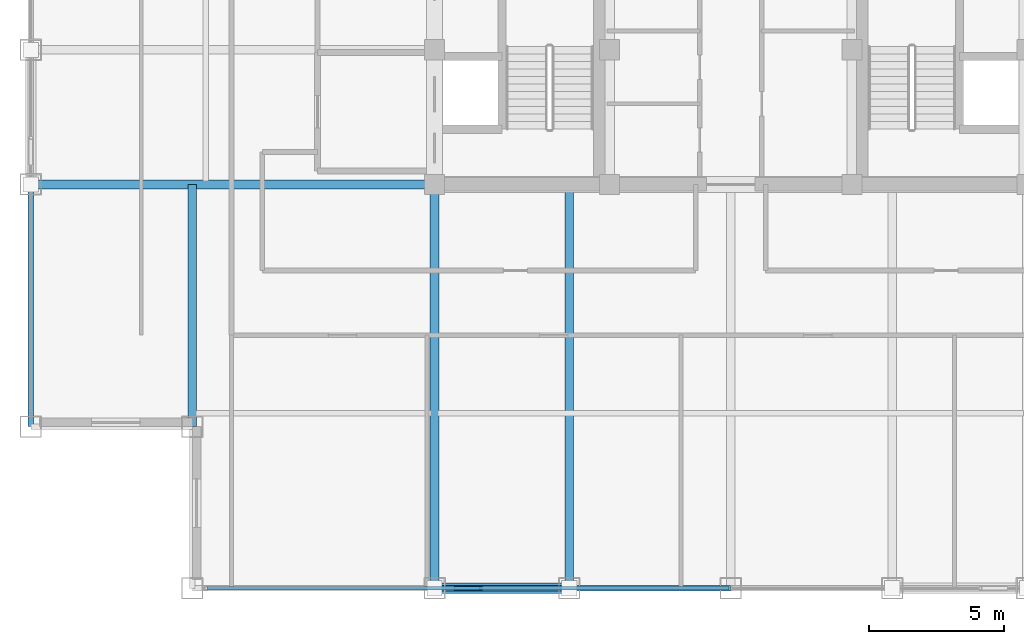
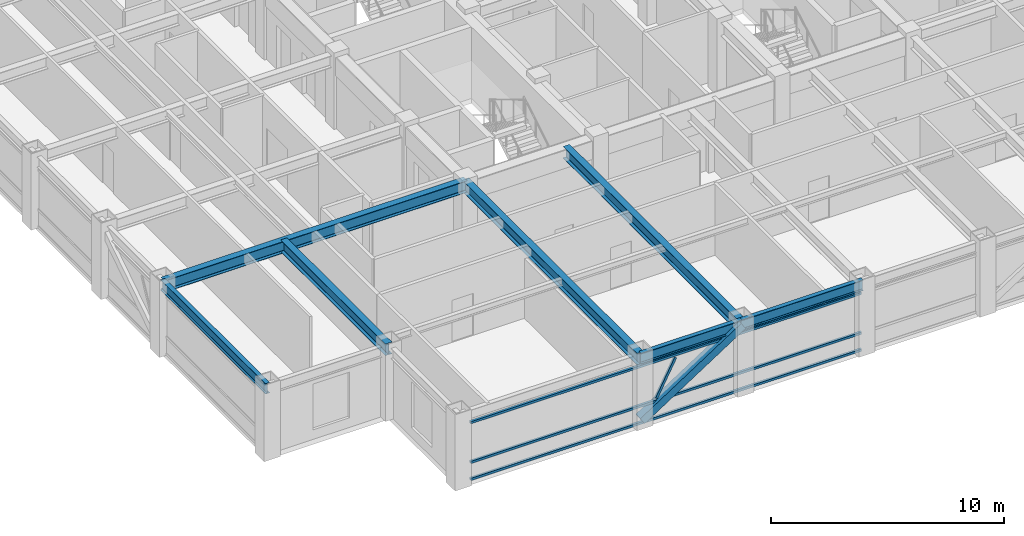
# One storey, part 3 of 28: 7 beams, 5 members, 1 element without a shape of its own.
"""IFC4 building model written with IfcOpenShell, lengths in metres."""

from ifc_helpers import new_model, si_unit, direction, frame, origin, origin_2d, place, context, subcontext, project, spatial, hollow_rectangle, i_section, extrude, source, transform, mapped, material, material_profile, profile_set, type_object, element, aggregate, save


model = new_model("IFC4")

# Units and contexts
model_context = context("Model", 3, precision=1e-05, world=origin(), true_north=direction((0.0, 1.0)))
body_context = subcontext(model_context, "Body", "Model", "MODEL_VIEW")
ifc_project = project(units=[si_unit("LENGTHUNIT", "METRE"), si_unit("AREAUNIT", "SQUARE_METRE"), si_unit("VOLUMEUNIT", "CUBIC_METRE"), si_unit("PLANEANGLEUNIT", "RADIAN"), si_unit("MASSUNIT", "GRAM", prefix="KILO")], contexts=[model_context])

# Site, building, storey
site_placement = place(None, origin())
site = spatial("IfcSite", under=ifc_project, at=site_placement, CompositionType="ELEMENT")
building_placement = place(site_placement, origin())
building = spatial("IfcBuilding", under=site, at=building_placement, Name="Khorayat Bourse Tower", CompositionType="ELEMENT")
storey_placement = place(building_placement, frame((0.0, 0.0, 330.300048828125)))
storey = spatial("IfcBuildingStorey", under=building, at=storey_placement, Name="L78", CompositionType="ELEMENT", Elevation=330.300048828125)

# Beams
ifc_material_1 = material(Name="Steel ASTM A992 Grade 50", Category="steel")
ifc_material_profile_1 = material_profile(ifc_material_1, i_section(OverallWidth=0.214111328125, OverallDepth=0.549072265625, WebThickness=0.0146484375, FlangeThickness=0.023681640625, FilletRadius=0.013916015625, at=origin_2d()), Name="W530X138")
ifc_profile_set_1 = profile_set([ifc_material_profile_1], Name="Steel ASTM A992 Grade 50")
beam_type_1 = type_object("IfcBeamType", Name="BM-SPAN-530", PredefinedType="SPANDREL", material=ifc_profile_set_1)
shared_shape_1 = source(origin(), body_context, "Body", "SweptSolid", [
    extrude(i_section(OverallWidth=0.214111328125, OverallDepth=0.549072265625, WebThickness=0.0146484375, FlangeThickness=0.023681640625, FilletRadius=0.013916015625, at=origin_2d()), origin(), (0.0, 0.0, 1.0), 9.0),
])
beam_1_placement = place(storey_placement, frame((-26.0, -20.0, 3.46533203125), z_axis=(0.0, 1.0, 0.0), x_axis=(-1.0, 0.0, 0.0)))
element("IfcBeam", 1, at=beam_1_placement, inside=storey, type_object=beam_type_1, Name="L78 BM-SPAN-530 BM-L78-SPN-053", PredefinedType="SPANDREL", context=body_context, shape_type="MappedRepresentation", body=[
    mapped(shared_shape_1, transform((0.0, 0.0, 0.0), scale=1.0)),
])
shared_shape_2 = source(origin(), body_context, "Body", "SweptSolid", [
    extrude(i_section(OverallWidth=0.214111328125, OverallDepth=0.549072265625, WebThickness=0.0146484375, FlangeThickness=0.023681640625, FilletRadius=0.013916015625, at=origin_2d()), origin(), (0.0, 0.0, 1.0), 5.0),
])
beam_2_placement = place(storey_placement, frame((-11.0, -26.0, 3.46533203125), z_axis=(1.0, 0.0, 0.0), x_axis=(0.0, 1.0, 0.0)))
element("IfcBeam", 2, at=beam_2_placement, inside=storey, type_object=beam_type_1, Name="L78 BM-SPAN-530 BM-L78-SPN-025", PredefinedType="SPANDREL", context=body_context, shape_type="MappedRepresentation", body=[
    mapped(shared_shape_2, transform((0.0, 0.0, 0.0), scale=1.0)),
])
shared_shape_3 = source(origin(), body_context, "Body", "SweptSolid", [
    extrude(i_section(OverallWidth=0.214111328125, OverallDepth=0.549072265625, WebThickness=0.0146484375, FlangeThickness=0.023681640625, FilletRadius=0.013916015625, at=origin_2d()), origin(), (0.0, 0.0, 1.0), 6.0),
])
beam_3_placement = place(storey_placement, frame((-6.0, -26.0, 3.46533203125), z_axis=(1.0, 0.0, 0.0), x_axis=(0.0, 1.0, 0.0)))
element("IfcBeam", 3, at=beam_3_placement, inside=storey, type_object=beam_type_1, Name="L78 BM-SPAN-530 BM-L78-SPN-026", PredefinedType="SPANDREL", context=body_context, shape_type="MappedRepresentation", body=[
    mapped(shared_shape_3, transform((0.0, 0.0, 0.0), scale=1.0)),
])
ifc_material_profile_2 = material_profile(ifc_material_1, i_section(OverallWidth=0.324951171875, OverallDepth=0.615966796875, WebThickness=0.013916015625, FlangeThickness=0.021484375, FilletRadius=0.01611328125, at=origin_2d()), Name="W610X174")
ifc_profile_set_2 = profile_set([ifc_material_profile_2], Name="Steel ASTM A992 Grade 50")
beam_type_2 = type_object("IfcBeamType", Name="BM-GIRD-610", PredefinedType="BEAM", material=ifc_profile_set_2)
shared_shape_4 = source(origin(), body_context, "Body", "SweptSolid", [
    extrude(i_section(OverallWidth=0.324951171875, OverallDepth=0.615966796875, WebThickness=0.013916015625, FlangeThickness=0.021484375, FilletRadius=0.01611328125, at=origin_2d()), origin(), (0.0, 0.0, 1.0), 15.0),
])
for number, where, z_axis, x_axis, name in (
    (4, (-11.0, -26.0, 3.431884765625), (0.0, 1.0, 0.0), (-1.0, 0.0, 0.0), "L78 BM-GIRD-610 BM-L78-RADY-057"),
    (5, (-6.0, -26.0, 3.431884765625), (0.0, 1.0, 0.0), (-1.0, 0.0, 0.0), "L78 BM-GIRD-610 BM-L78-RADY-059"),
    (6, (-26.0, -11.0, 3.431884765625), (1.0, 0.0, 0.0), (0.0, 1.0, 0.0), "L78 BM-GIRD-610 BM-L78-RADX-067"),
):
    element("IfcBeam", number, at=place(storey_placement, frame(where, z_axis=z_axis, x_axis=x_axis)), inside=storey, type_object=beam_type_2, Name=name, PredefinedType="BEAM", context=body_context, shape_type="MappedRepresentation", body=[
        mapped(shared_shape_4, transform((0.0, 0.0, 0.0), scale=1.0)),
    ])
shared_shape_5 = source(origin(), body_context, "Body", "SweptSolid", [
    extrude(i_section(OverallWidth=0.324951171875, OverallDepth=0.615966796875, WebThickness=0.013916015625, FlangeThickness=0.021484375, FilletRadius=0.01611328125, at=origin_2d()), origin(), (0.0, 0.0, 1.0), 9.0),
])
beam_4_placement = place(storey_placement, frame((-20.0, -20.0, 3.431884765625), z_axis=(0.0, 1.0, 0.0), x_axis=(-1.0, 0.0, 0.0)))
element("IfcBeam", 7, at=beam_4_placement, inside=storey, type_object=beam_type_2, Name="L78 BM-GIRD-610 BM-L78-CNRY-076", PredefinedType="BEAM", context=body_context, shape_type="MappedRepresentation", body=[
    mapped(shared_shape_5, transform((0.0, 0.0, 0.0), scale=1.0)),
])

# Member
ifc_material_2 = material(Name="Steel EN 10025-4 S460M", Category="steel")
ifc_material_profile_3 = material_profile(ifc_material_2, hollow_rectangle(XDim=0.39990234375, YDim=0.39990234375, WallThickness=0.02197265625, at=origin_2d()), Name="HSS 400x400x22")
ifc_profile_set_3 = profile_set([ifc_material_profile_3], Name="Steel EN 10025-4 S460M")
member_type_1 = type_object("IfcMemberType", Name="MBR-TUBE-400", PredefinedType="BRACE", material=ifc_profile_set_3)
shared_shape_6 = source(origin(), body_context, "Body", "SweptSolid", [
    extrude(hollow_rectangle(XDim=0.39990234375, YDim=0.39990234375, WallThickness=0.02197265625, at=origin_2d()), origin(), (0.0, 0.0, 1.0), 5.9580078125),
])
member_1_placement = place(storey_placement, frame((-11.0, -26.0, 0.25), z_axis=(0.839210474455, 0.0, 0.543806748364), x_axis=(0.0, 1.0, 0.0)))
element("IfcMember", 8, at=member_1_placement, inside=storey, type_object=member_type_1, Name="L78 Perimeter Tube Brace 01", PredefinedType="BRACE", context=body_context, shape_type="MappedRepresentation", body=[
    mapped(shared_shape_6, transform((0.0, 0.0, 0.0), scale=1.0)),
])

# Curtain wall, members
ifc_material_3 = material(Name="Aluminium EN AW-6063 T6", Category="aluminium")
curtain_wall_type = type_object("IfcCurtainWallType", Name="CW-SYS-04", PredefinedType="NOTDEFINED", material=ifc_material_3)
curtain_wall_placement = place(storey_placement, origin())
curtain_wall = element("IfcCurtainWall", 9, at=curtain_wall_placement, inside=storey, type_object=curtain_wall_type, Name="L78 Curtain Wall CW-L78-S1", PredefinedType="NOTDEFINED")
ifc_material_profile_4 = material_profile(ifc_material_3, hollow_rectangle(XDim=0.1201171875, YDim=0.1201171875, WallThickness=0.0048828125, at=origin_2d()), Name="ALU 120x120x5")
ifc_profile_set_4 = profile_set([ifc_material_profile_4], Name="Aluminium EN AW-6063 T6")
member_type_2 = type_object("IfcMemberType", Name="CWM-DIAG-120", PredefinedType="MULLION", material=ifc_profile_set_4)
shared_shape_7 = source(origin(), body_context, "Body", "SweptSolid", [
    extrude(hollow_rectangle(XDim=0.1201171875, YDim=0.1201171875, WallThickness=0.0048828125, at=origin_2d()), origin(), (0.0, 0.0, 1.0), 2.0341796875),
])
member_2_placement = place(storey_placement, frame((-10.21875, -26.0, 1.08984375), z_axis=(0.465790950955, 0.0, 0.884894790361), x_axis=(0.0, 1.0, 0.0)))
member_2 = element("IfcMember", 10, at=member_2_placement, type_object=member_type_2, Name="CW-L78-S1 Faceted Diagonal Mullion 1", PredefinedType="MULLION", context=body_context, shape_type="MappedRepresentation", body=[
    mapped(shared_shape_7, transform((0.0, 0.0, 0.0), scale=1.0)),
])
ifc_material_profile_5 = material_profile(ifc_material_3, hollow_rectangle(XDim=0.1201171875, YDim=0.1201171875, WallThickness=0.0048828125, at=origin_2d()), Name="ALU 120x120x5")
ifc_profile_set_5 = profile_set([ifc_material_profile_5], Name="Aluminium EN AW-6063 T6")
member_type_3 = type_object("IfcMemberType", Name="CWT-HORZ-120", PredefinedType="USERDEFINED", material=ifc_profile_set_5)
shared_shape_8 = source(origin(), body_context, "Body", "SweptSolid", [
    extrude(hollow_rectangle(XDim=0.1201171875, YDim=0.1201171875, WallThickness=0.0048828125, at=origin_2d()), origin(), (0.0, 0.0, 1.0), 19.369873046875),
])
member_3_placement = place(storey_placement, frame((-19.429931640625, -26.0, 0.06005859375), z_axis=(1.0, 0.0, 0.0), x_axis=(0.0, 1.0, 0.0)))
member_3 = element("IfcMember", 11, at=member_3_placement, type_object=member_type_3, Name="CW-L78-S1 Horizontal Transom 1-1", ObjectType="TRANSOM", PredefinedType="USERDEFINED", context=body_context, shape_type="MappedRepresentation", body=[
    mapped(shared_shape_8, transform((0.0, 0.0, 0.0), scale=1.0)),
])
member_4_placement = place(storey_placement, frame((-19.429931640625, -26.0, 0.949951171875), z_axis=(1.0, 0.0, 0.0), x_axis=(0.0, 1.0, 0.0)))
member_4 = element("IfcMember", 12, at=member_4_placement, type_object=member_type_3, Name="CW-L78-S1 Horizontal Transom 1-2", ObjectType="TRANSOM", PredefinedType="USERDEFINED", context=body_context, shape_type="MappedRepresentation", body=[
    mapped(shared_shape_8, transform((0.0, 0.0, 0.0), scale=1.0)),
])
member_5_placement = place(storey_placement, frame((-19.429931640625, -26.0, 3.030029296875), z_axis=(1.0, 0.0, 0.0), x_axis=(0.0, 1.0, 0.0)))
member_5 = element("IfcMember", 13, at=member_5_placement, type_object=member_type_3, Name="CW-L78-S1 Horizontal Transom 1-3", ObjectType="TRANSOM", PredefinedType="USERDEFINED", context=body_context, shape_type="MappedRepresentation", body=[
    mapped(shared_shape_8, transform((0.0, 0.0, 0.0), scale=1.0)),
])
aggregate(curtain_wall, [member_3, member_4, member_5, member_2])

save(model, "model.ifc")
